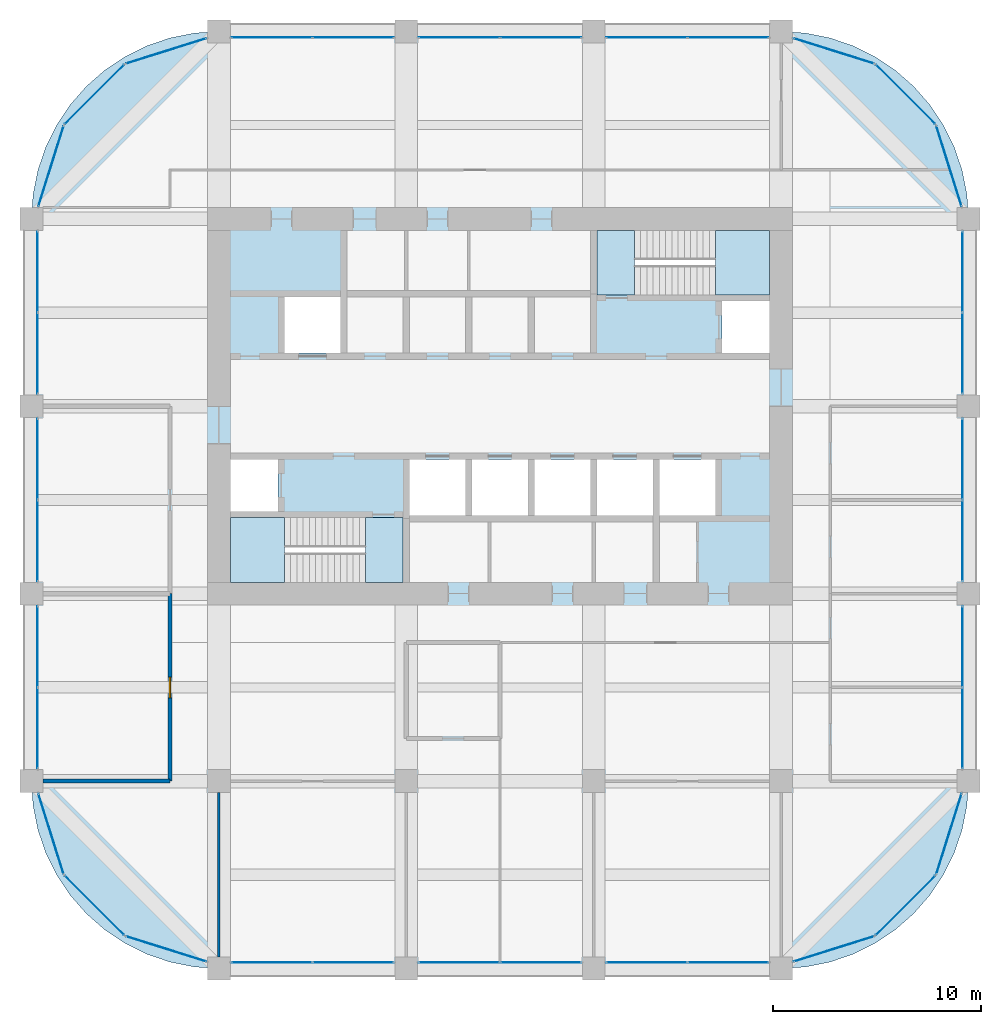
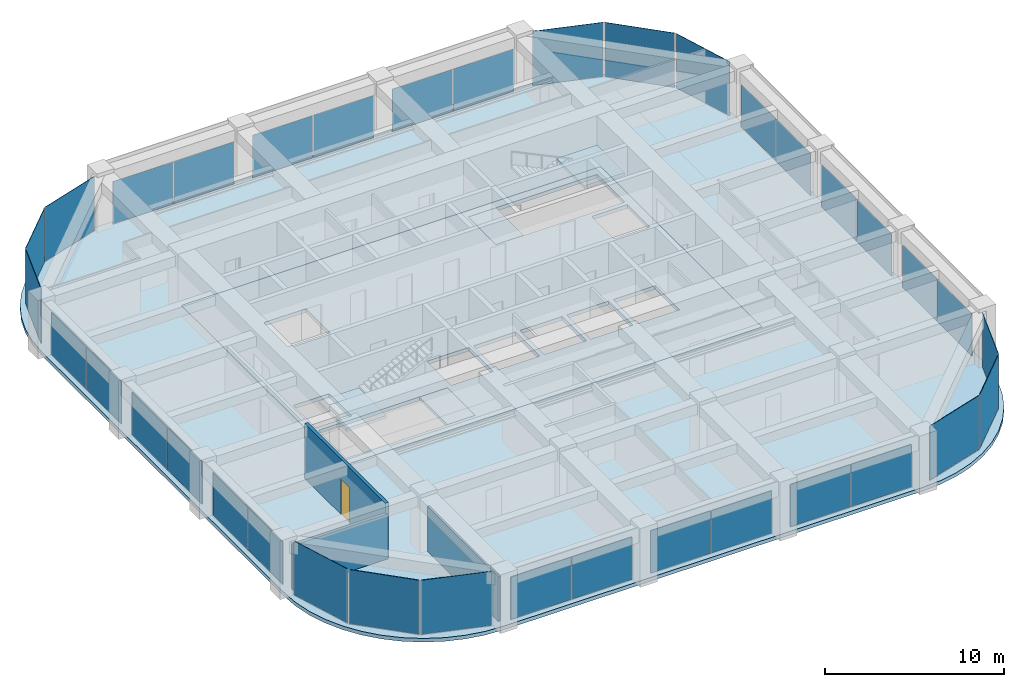
# One storey, part 40 of 44: 36 plates, 6 slabs, 3 walls, 1 door, 1 opening, 26 elements without a shape of their own.
"""IFC4 building model written with IfcOpenShell, lengths in metres."""

from ifc_helpers import new_model, si_unit, direction, frame, frame_2d, origin, origin_2d, place, context, subcontext, project, spatial, polyline, rectangle, outline, extrude, material, layer, layer_set, type_object, element, fill, aggregate, save


model = new_model("IFC4")

# Units and contexts
model_context = context("Model", 3, precision=1e-05, world=origin(), true_north=direction((0.0, 1.0)))
body_context = subcontext(model_context, "Body", "Model", "MODEL_VIEW")
ifc_project = project(units=[si_unit("LENGTHUNIT", "METRE"), si_unit("AREAUNIT", "SQUARE_METRE"), si_unit("VOLUMEUNIT", "CUBIC_METRE"), si_unit("PLANEANGLEUNIT", "RADIAN"), si_unit("MASSUNIT", "GRAM", prefix="KILO")], contexts=[model_context])

# Site, building, storey
site_placement = place(None, origin())
site = spatial("IfcSite", under=ifc_project, at=site_placement, CompositionType="ELEMENT")
building_placement = place(site_placement, origin())
building = spatial("IfcBuilding", under=site, at=building_placement, Name="Zorevar Civic Tower", CompositionType="ELEMENT")
storey_placement = place(building_placement, frame((0.0, 0.0, 267.39990234375)))
storey = spatial("IfcBuildingStorey", under=building, at=storey_placement, Name="L65", CompositionType="ELEMENT", Elevation=267.39990234375)

# Curtain wall, plates
ifc_material_1 = material(Name="Dark grey solar-control glass in black aluminium frame", Category="aluminium")
curtain_wall_type = type_object("IfcCurtainWallType", Name="Curtain wall CW5 top zone", PredefinedType="NOTDEFINED", material=ifc_material_1)
curtain_wall_1_placement = place(storey_placement, origin())
curtain_wall_1 = element("IfcCurtainWall", 1, at=curtain_wall_1_placement, inside=storey, type_object=curtain_wall_type, Name="CW5 L65", PredefinedType="NOTDEFINED")
ifc_material_2 = material(Name="Dark grey solar-control glass", Category="glass")
ifc_layer_1 = layer(ifc_material_2, 0.028076171875)
ifc_layer_set_1 = layer_set([ifc_layer_1], Name="CW5 panel 28")
plate_type = type_object("IfcPlateType", Name="CW5 panel 28", PredefinedType="CURTAIN_PANEL", material=ifc_layer_set_1)
plate_1_placement = place(storey_placement, frame((20.5400390625, 0.300048828125, 0.06005859375), z_axis=(0.0, 0.0, 1.0), x_axis=(1.0, 0.0, 0.0)))
plate_1 = element("IfcPlate", 2, at=plate_1_placement, type_object=plate_type, Name="CW5 panel 1.1", PredefinedType="CURTAIN_PANEL", context=body_context, shape_type="SweptSolid", body=[
    extrude(rectangle(XDim=3.860107421875, YDim=0.028076171875, at=origin_2d()), origin(), (0.0, 0.0, 1.0), 2.889892578125),
])
plate_2_placement = place(storey_placement, frame((24.4599609375, 0.300048828125, 0.06005859375), z_axis=(0.0, 0.0, 1.0), x_axis=(1.0, 0.0, 0.0)))
plate_2 = element("IfcPlate", 3, at=plate_2_placement, type_object=plate_type, Name="CW5 panel 2.1", PredefinedType="CURTAIN_PANEL", context=body_context, shape_type="SweptSolid", body=[
    extrude(rectangle(XDim=3.860107421875, YDim=0.028076171875, at=origin_2d()), origin(), (0.0, 0.0, 1.0), 2.889892578125),
])
aggregate(curtain_wall_1, [plate_1, plate_2])

curtain_wall_2_placement = place(storey_placement, origin())
curtain_wall_2 = element("IfcCurtainWall", 4, at=curtain_wall_2_placement, inside=storey, type_object=curtain_wall_type, Name="CW5 L65", PredefinedType="NOTDEFINED")
plate_3_placement = place(storey_placement, frame((20.5400390625, 44.699951171875, 0.06005859375), z_axis=(0.0, 0.0, 1.0), x_axis=(1.0, 0.0, 0.0)))
plate_3 = element("IfcPlate", 5, at=plate_3_placement, type_object=plate_type, Name="CW5 panel 1.1", PredefinedType="CURTAIN_PANEL", context=body_context, shape_type="SweptSolid", body=[
    extrude(rectangle(XDim=3.860107421875, YDim=0.028076171875, at=origin_2d()), origin(), (0.0, 0.0, 1.0), 2.889892578125),
])
plate_4_placement = place(storey_placement, frame((24.4599609375, 44.699951171875, 0.06005859375), z_axis=(0.0, 0.0, 1.0), x_axis=(1.0, 0.0, 0.0)))
plate_4 = element("IfcPlate", 6, at=plate_4_placement, type_object=plate_type, Name="CW5 panel 2.1", PredefinedType="CURTAIN_PANEL", context=body_context, shape_type="SweptSolid", body=[
    extrude(rectangle(XDim=3.860107421875, YDim=0.028076171875, at=origin_2d()), origin(), (0.0, 0.0, 1.0), 2.889892578125),
])
aggregate(curtain_wall_2, [plate_3, plate_4])

curtain_wall_3_placement = place(storey_placement, origin())
curtain_wall_3 = element("IfcCurtainWall", 7, at=curtain_wall_3_placement, inside=storey, type_object=curtain_wall_type, Name="CW5 L65", PredefinedType="NOTDEFINED")
plate_5_placement = place(storey_placement, frame((29.5400390625, 0.300048828125, 0.06005859375), z_axis=(0.0, 0.0, 1.0), x_axis=(1.0, 0.0, 0.0)))
plate_5 = element("IfcPlate", 8, at=plate_5_placement, type_object=plate_type, Name="CW5 panel 1.1", PredefinedType="CURTAIN_PANEL", context=body_context, shape_type="SweptSolid", body=[
    extrude(rectangle(XDim=3.860107421875, YDim=0.028076171875, at=origin_2d()), origin(), (0.0, 0.0, 1.0), 2.889892578125),
])
plate_6_placement = place(storey_placement, frame((33.4599609375, 0.300048828125, 0.06005859375), z_axis=(0.0, 0.0, 1.0), x_axis=(1.0, 0.0, 0.0)))
plate_6 = element("IfcPlate", 9, at=plate_6_placement, type_object=plate_type, Name="CW5 panel 2.1", PredefinedType="CURTAIN_PANEL", context=body_context, shape_type="SweptSolid", body=[
    extrude(rectangle(XDim=3.860107421875, YDim=0.028076171875, at=origin_2d()), origin(), (0.0, 0.0, 1.0), 2.889892578125),
])
aggregate(curtain_wall_3, [plate_5, plate_6])

curtain_wall_4_placement = place(storey_placement, origin())
curtain_wall_4 = element("IfcCurtainWall", 10, at=curtain_wall_4_placement, inside=storey, type_object=curtain_wall_type, Name="CW5 L65", PredefinedType="NOTDEFINED")
plate_7_placement = place(storey_placement, frame((29.5400390625, 44.699951171875, 0.06005859375), z_axis=(0.0, 0.0, 1.0), x_axis=(1.0, 0.0, 0.0)))
plate_7 = element("IfcPlate", 11, at=plate_7_placement, type_object=plate_type, Name="CW5 panel 1.1", PredefinedType="CURTAIN_PANEL", context=body_context, shape_type="SweptSolid", body=[
    extrude(rectangle(XDim=3.860107421875, YDim=0.028076171875, at=origin_2d()), origin(), (0.0, 0.0, 1.0), 2.889892578125),
])
plate_8_placement = place(storey_placement, frame((33.4599609375, 44.699951171875, 0.06005859375), z_axis=(0.0, 0.0, 1.0), x_axis=(1.0, 0.0, 0.0)))
plate_8 = element("IfcPlate", 12, at=plate_8_placement, type_object=plate_type, Name="CW5 panel 2.1", PredefinedType="CURTAIN_PANEL", context=body_context, shape_type="SweptSolid", body=[
    extrude(rectangle(XDim=3.860107421875, YDim=0.028076171875, at=origin_2d()), origin(), (0.0, 0.0, 1.0), 2.889892578125),
])
aggregate(curtain_wall_4, [plate_7, plate_8])

curtain_wall_5_placement = place(storey_placement, origin())
curtain_wall_5 = element("IfcCurtainWall", 13, at=curtain_wall_5_placement, inside=storey, type_object=curtain_wall_type, Name="CW5 L65", PredefinedType="NOTDEFINED")
plate_9_placement = place(storey_placement, frame((38.5400390625, 0.300048828125, 0.06005859375), z_axis=(0.0, 0.0, 1.0), x_axis=(1.0, 0.0, 0.0)))
plate_9 = element("IfcPlate", 14, at=plate_9_placement, type_object=plate_type, Name="CW5 panel 1.1", PredefinedType="CURTAIN_PANEL", context=body_context, shape_type="SweptSolid", body=[
    extrude(rectangle(XDim=3.860107421875, YDim=0.028076171875, at=origin_2d()), origin(), (0.0, 0.0, 1.0), 2.889892578125),
])
plate_10_placement = place(storey_placement, frame((42.4599609375, 0.300048828125, 0.06005859375), z_axis=(0.0, 0.0, 1.0), x_axis=(1.0, 0.0, 0.0)))
plate_10 = element("IfcPlate", 15, at=plate_10_placement, type_object=plate_type, Name="CW5 panel 2.1", PredefinedType="CURTAIN_PANEL", context=body_context, shape_type="SweptSolid", body=[
    extrude(rectangle(XDim=3.860107421875, YDim=0.028076171875, at=origin_2d()), origin(), (0.0, 0.0, 1.0), 2.889892578125),
])
aggregate(curtain_wall_5, [plate_9, plate_10])

curtain_wall_6_placement = place(storey_placement, origin())
curtain_wall_6 = element("IfcCurtainWall", 16, at=curtain_wall_6_placement, inside=storey, type_object=curtain_wall_type, Name="CW5 L65", PredefinedType="NOTDEFINED")
plate_11_placement = place(storey_placement, frame((38.5400390625, 44.699951171875, 0.06005859375), z_axis=(0.0, 0.0, 1.0), x_axis=(1.0, 0.0, 0.0)))
plate_11 = element("IfcPlate", 17, at=plate_11_placement, type_object=plate_type, Name="CW5 panel 1.1", PredefinedType="CURTAIN_PANEL", context=body_context, shape_type="SweptSolid", body=[
    extrude(rectangle(XDim=3.860107421875, YDim=0.028076171875, at=origin_2d()), origin(), (0.0, 0.0, 1.0), 2.889892578125),
])
plate_12_placement = place(storey_placement, frame((42.4599609375, 44.699951171875, 0.06005859375), z_axis=(0.0, 0.0, 1.0), x_axis=(1.0, 0.0, 0.0)))
plate_12 = element("IfcPlate", 18, at=plate_12_placement, type_object=plate_type, Name="CW5 panel 2.1", PredefinedType="CURTAIN_PANEL", context=body_context, shape_type="SweptSolid", body=[
    extrude(rectangle(XDim=3.860107421875, YDim=0.028076171875, at=origin_2d()), origin(), (0.0, 0.0, 1.0), 2.889892578125),
])
aggregate(curtain_wall_6, [plate_11, plate_12])

curtain_wall_7_placement = place(storey_placement, origin())
curtain_wall_7 = element("IfcCurtainWall", 19, at=curtain_wall_7_placement, inside=storey, type_object=curtain_wall_type, Name="CW5 L65", PredefinedType="NOTDEFINED")
plate_13_placement = place(storey_placement, frame((9.300048828125, 11.5400390625, 0.06005859375), z_axis=(0.0, 0.0, 1.0), x_axis=(0.0, 1.0, 0.0)))
plate_13 = element("IfcPlate", 20, at=plate_13_placement, type_object=plate_type, Name="CW5 panel 1.1", PredefinedType="CURTAIN_PANEL", context=body_context, shape_type="SweptSolid", body=[
    extrude(rectangle(XDim=3.860107421875, YDim=0.028076171875, at=origin_2d()), origin(), (0.0, 0.0, 1.0), 2.889892578125),
])
plate_14_placement = place(storey_placement, frame((9.300048828125, 15.4599609375, 0.06005859375), z_axis=(0.0, 0.0, 1.0), x_axis=(0.0, 1.0, 0.0)))
plate_14 = element("IfcPlate", 21, at=plate_14_placement, type_object=plate_type, Name="CW5 panel 2.1", PredefinedType="CURTAIN_PANEL", context=body_context, shape_type="SweptSolid", body=[
    extrude(rectangle(XDim=3.860107421875, YDim=0.028076171875, at=origin_2d()), origin(), (0.0, 0.0, 1.0), 2.889892578125),
])
aggregate(curtain_wall_7, [plate_13, plate_14])

curtain_wall_8_placement = place(storey_placement, origin())
curtain_wall_8 = element("IfcCurtainWall", 22, at=curtain_wall_8_placement, inside=storey, type_object=curtain_wall_type, Name="CW5 L65", PredefinedType="NOTDEFINED")
plate_15_placement = place(storey_placement, frame((53.699951171875, 11.5400390625, 0.06005859375), z_axis=(0.0, 0.0, 1.0), x_axis=(0.0, 1.0, 0.0)))
plate_15 = element("IfcPlate", 23, at=plate_15_placement, type_object=plate_type, Name="CW5 panel 1.1", PredefinedType="CURTAIN_PANEL", context=body_context, shape_type="SweptSolid", body=[
    extrude(rectangle(XDim=3.860107421875, YDim=0.028076171875, at=origin_2d()), origin(), (0.0, 0.0, 1.0), 2.889892578125),
])
plate_16_placement = place(storey_placement, frame((53.699951171875, 15.4599609375, 0.06005859375), z_axis=(0.0, 0.0, 1.0), x_axis=(0.0, 1.0, 0.0)))
plate_16 = element("IfcPlate", 24, at=plate_16_placement, type_object=plate_type, Name="CW5 panel 2.1", PredefinedType="CURTAIN_PANEL", context=body_context, shape_type="SweptSolid", body=[
    extrude(rectangle(XDim=3.860107421875, YDim=0.028076171875, at=origin_2d()), origin(), (0.0, 0.0, 1.0), 2.889892578125),
])
aggregate(curtain_wall_8, [plate_15, plate_16])

curtain_wall_9_placement = place(storey_placement, origin())
curtain_wall_9 = element("IfcCurtainWall", 25, at=curtain_wall_9_placement, inside=storey, type_object=curtain_wall_type, Name="CW5 L65", PredefinedType="NOTDEFINED")
plate_17_placement = place(storey_placement, frame((9.300048828125, 20.5400390625, 0.06005859375), z_axis=(0.0, 0.0, 1.0), x_axis=(0.0, 1.0, 0.0)))
plate_17 = element("IfcPlate", 26, at=plate_17_placement, type_object=plate_type, Name="CW5 panel 1.1", PredefinedType="CURTAIN_PANEL", context=body_context, shape_type="SweptSolid", body=[
    extrude(rectangle(XDim=3.860107421875, YDim=0.028076171875, at=origin_2d()), origin(), (0.0, 0.0, 1.0), 2.889892578125),
])
plate_18_placement = place(storey_placement, frame((9.300048828125, 24.4599609375, 0.06005859375), z_axis=(0.0, 0.0, 1.0), x_axis=(0.0, 1.0, 0.0)))
plate_18 = element("IfcPlate", 27, at=plate_18_placement, type_object=plate_type, Name="CW5 panel 2.1", PredefinedType="CURTAIN_PANEL", context=body_context, shape_type="SweptSolid", body=[
    extrude(rectangle(XDim=3.860107421875, YDim=0.028076171875, at=origin_2d()), origin(), (0.0, 0.0, 1.0), 2.889892578125),
])
aggregate(curtain_wall_9, [plate_17, plate_18])

curtain_wall_10_placement = place(storey_placement, origin())
curtain_wall_10 = element("IfcCurtainWall", 28, at=curtain_wall_10_placement, inside=storey, type_object=curtain_wall_type, Name="CW5 L65", PredefinedType="NOTDEFINED")
plate_19_placement = place(storey_placement, frame((53.699951171875, 20.5400390625, 0.06005859375), z_axis=(0.0, 0.0, 1.0), x_axis=(0.0, 1.0, 0.0)))
plate_19 = element("IfcPlate", 29, at=plate_19_placement, type_object=plate_type, Name="CW5 panel 1.1", PredefinedType="CURTAIN_PANEL", context=body_context, shape_type="SweptSolid", body=[
    extrude(rectangle(XDim=3.860107421875, YDim=0.028076171875, at=origin_2d()), origin(), (0.0, 0.0, 1.0), 2.889892578125),
])
plate_20_placement = place(storey_placement, frame((53.699951171875, 24.4599609375, 0.06005859375), z_axis=(0.0, 0.0, 1.0), x_axis=(0.0, 1.0, 0.0)))
plate_20 = element("IfcPlate", 30, at=plate_20_placement, type_object=plate_type, Name="CW5 panel 2.1", PredefinedType="CURTAIN_PANEL", context=body_context, shape_type="SweptSolid", body=[
    extrude(rectangle(XDim=3.860107421875, YDim=0.028076171875, at=origin_2d()), origin(), (0.0, 0.0, 1.0), 2.889892578125),
])
aggregate(curtain_wall_10, [plate_19, plate_20])

curtain_wall_11_placement = place(storey_placement, origin())
curtain_wall_11 = element("IfcCurtainWall", 31, at=curtain_wall_11_placement, inside=storey, type_object=curtain_wall_type, Name="CW5 L65", PredefinedType="NOTDEFINED")
plate_21_placement = place(storey_placement, frame((9.300048828125, 29.5400390625, 0.06005859375), z_axis=(0.0, 0.0, 1.0), x_axis=(0.0, 1.0, 0.0)))
plate_21 = element("IfcPlate", 32, at=plate_21_placement, type_object=plate_type, Name="CW5 panel 1.1", PredefinedType="CURTAIN_PANEL", context=body_context, shape_type="SweptSolid", body=[
    extrude(rectangle(XDim=3.860107421875, YDim=0.028076171875, at=origin_2d()), origin(), (0.0, 0.0, 1.0), 2.889892578125),
])
plate_22_placement = place(storey_placement, frame((9.300048828125, 33.4599609375, 0.06005859375), z_axis=(0.0, 0.0, 1.0), x_axis=(0.0, 1.0, 0.0)))
plate_22 = element("IfcPlate", 33, at=plate_22_placement, type_object=plate_type, Name="CW5 panel 2.1", PredefinedType="CURTAIN_PANEL", context=body_context, shape_type="SweptSolid", body=[
    extrude(rectangle(XDim=3.860107421875, YDim=0.028076171875, at=origin_2d()), origin(), (0.0, 0.0, 1.0), 2.889892578125),
])
aggregate(curtain_wall_11, [plate_21, plate_22])

curtain_wall_12_placement = place(storey_placement, origin())
curtain_wall_12 = element("IfcCurtainWall", 34, at=curtain_wall_12_placement, inside=storey, type_object=curtain_wall_type, Name="CW5 L65", PredefinedType="NOTDEFINED")
plate_23_placement = place(storey_placement, frame((53.699951171875, 29.5400390625, 0.06005859375), z_axis=(0.0, 0.0, 1.0), x_axis=(0.0, 1.0, 0.0)))
plate_23 = element("IfcPlate", 35, at=plate_23_placement, type_object=plate_type, Name="CW5 panel 1.1", PredefinedType="CURTAIN_PANEL", context=body_context, shape_type="SweptSolid", body=[
    extrude(rectangle(XDim=3.860107421875, YDim=0.028076171875, at=origin_2d()), origin(), (0.0, 0.0, 1.0), 2.889892578125),
])
plate_24_placement = place(storey_placement, frame((53.699951171875, 33.4599609375, 0.06005859375), z_axis=(0.0, 0.0, 1.0), x_axis=(0.0, 1.0, 0.0)))
plate_24 = element("IfcPlate", 36, at=plate_24_placement, type_object=plate_type, Name="CW5 panel 2.1", PredefinedType="CURTAIN_PANEL", context=body_context, shape_type="SweptSolid", body=[
    extrude(rectangle(XDim=3.860107421875, YDim=0.028076171875, at=origin_2d()), origin(), (0.0, 0.0, 1.0), 2.889892578125),
])
aggregate(curtain_wall_12, [plate_23, plate_24])

# Curtain wall, plate
curtain_wall_13_placement = place(storey_placement, origin())
curtain_wall_13 = element("IfcCurtainWall", 37, at=curtain_wall_13_placement, inside=storey, type_object=curtain_wall_type, Name="CW5 L65", PredefinedType="NOTDEFINED")
plate_25_placement = place(storey_placement, frame((47.52880859375, 0.938232421875, 0.06005859375), z_axis=(0.0, 0.0, 1.0), x_axis=(0.954153437674, 0.299317920238, 0.0)))
plate_25 = element("IfcPlate", 38, at=plate_25_placement, type_object=plate_type, Name="CW5 panel 1.1", PredefinedType="CURTAIN_PANEL", context=body_context, shape_type="SweptSolid", body=[
    extrude(rectangle(XDim=4.028076171875, YDim=0.028076171875, at=origin_2d()), origin(), (0.0, 0.0, 1.0), 3.68994140625),
])
aggregate(curtain_wall_13, [plate_25])

curtain_wall_14_placement = place(storey_placement, origin())
curtain_wall_14 = element("IfcCurtainWall", 39, at=curtain_wall_14_placement, inside=storey, type_object=curtain_wall_type, Name="CW5 L65", PredefinedType="NOTDEFINED")
plate_26_placement = place(storey_placement, frame((50.974365234375, 3.025634765625, 0.06005859375), z_axis=(0.0, 0.0, 1.0), x_axis=(0.707106781187, 0.707106781187, 0.0)))
plate_26 = element("IfcPlate", 40, at=plate_26_placement, type_object=plate_type, Name="CW5 panel 1.1", PredefinedType="CURTAIN_PANEL", context=body_context, shape_type="SweptSolid", body=[
    extrude(rectangle(XDim=4.028076171875, YDim=0.028076171875, at=origin_2d()), origin(), (0.0, 0.0, 1.0), 3.68994140625),
])
aggregate(curtain_wall_14, [plate_26])

curtain_wall_15_placement = place(storey_placement, origin())
curtain_wall_15 = element("IfcCurtainWall", 41, at=curtain_wall_15_placement, inside=storey, type_object=curtain_wall_type, Name="CW5 L65", PredefinedType="NOTDEFINED")
plate_27_placement = place(storey_placement, frame((53.061767578125, 6.47119140625, 0.06005859375), z_axis=(0.0, 0.0, 1.0), x_axis=(0.299317920238, 0.954153437674, 0.0)))
plate_27 = element("IfcPlate", 42, at=plate_27_placement, type_object=plate_type, Name="CW5 panel 1.1", PredefinedType="CURTAIN_PANEL", context=body_context, shape_type="SweptSolid", body=[
    extrude(rectangle(XDim=4.028076171875, YDim=0.028076171875, at=origin_2d()), origin(), (0.0, 0.0, 1.0), 3.68994140625),
])
aggregate(curtain_wall_15, [plate_27])

curtain_wall_16_placement = place(storey_placement, origin())
curtain_wall_16 = element("IfcCurtainWall", 43, at=curtain_wall_16_placement, inside=storey, type_object=curtain_wall_type, Name="CW5 L65", PredefinedType="NOTDEFINED")
plate_28_placement = place(storey_placement, frame((53.061767578125, 38.52880859375, 0.06005859375), z_axis=(0.0, 0.0, 1.0), x_axis=(-0.299317920238, 0.954153437674, 0.0)))
plate_28 = element("IfcPlate", 44, at=plate_28_placement, type_object=plate_type, Name="CW5 panel 1.1", PredefinedType="CURTAIN_PANEL", context=body_context, shape_type="SweptSolid", body=[
    extrude(rectangle(XDim=4.028076171875, YDim=0.028076171875, at=origin_2d()), origin(), (0.0, 0.0, 1.0), 3.68994140625),
])
aggregate(curtain_wall_16, [plate_28])

curtain_wall_17_placement = place(storey_placement, origin())
curtain_wall_17 = element("IfcCurtainWall", 45, at=curtain_wall_17_placement, inside=storey, type_object=curtain_wall_type, Name="CW5 L65", PredefinedType="NOTDEFINED")
plate_29_placement = place(storey_placement, frame((50.974365234375, 41.974365234375, 0.06005859375), z_axis=(0.0, 0.0, 1.0), x_axis=(-0.707106781187, 0.707106781187, 0.0)))
plate_29 = element("IfcPlate", 46, at=plate_29_placement, type_object=plate_type, Name="CW5 panel 1.1", PredefinedType="CURTAIN_PANEL", context=body_context, shape_type="SweptSolid", body=[
    extrude(rectangle(XDim=4.028076171875, YDim=0.028076171875, at=origin_2d()), origin(), (0.0, 0.0, 1.0), 3.68994140625),
])
aggregate(curtain_wall_17, [plate_29])

curtain_wall_18_placement = place(storey_placement, origin())
curtain_wall_18 = element("IfcCurtainWall", 47, at=curtain_wall_18_placement, inside=storey, type_object=curtain_wall_type, Name="CW5 L65", PredefinedType="NOTDEFINED")
plate_30_placement = place(storey_placement, frame((47.52880859375, 44.061767578125, 0.06005859375), z_axis=(0.0, 0.0, 1.0), x_axis=(-0.954153437674, 0.299317920238, 0.0)))
plate_30 = element("IfcPlate", 48, at=plate_30_placement, type_object=plate_type, Name="CW5 panel 1.1", PredefinedType="CURTAIN_PANEL", context=body_context, shape_type="SweptSolid", body=[
    extrude(rectangle(XDim=4.028076171875, YDim=0.028076171875, at=origin_2d()), origin(), (0.0, 0.0, 1.0), 3.68994140625),
])
aggregate(curtain_wall_18, [plate_30])

curtain_wall_19_placement = place(storey_placement, origin())
curtain_wall_19 = element("IfcCurtainWall", 49, at=curtain_wall_19_placement, inside=storey, type_object=curtain_wall_type, Name="CW5 L65", PredefinedType="NOTDEFINED")
plate_31_placement = place(storey_placement, frame((15.47119140625, 44.061767578125, 0.06005859375), z_axis=(0.0, 0.0, 1.0), x_axis=(-0.954153437674, -0.299317920238, 0.0)))
plate_31 = element("IfcPlate", 50, at=plate_31_placement, type_object=plate_type, Name="CW5 panel 1.1", PredefinedType="CURTAIN_PANEL", context=body_context, shape_type="SweptSolid", body=[
    extrude(rectangle(XDim=4.028076171875, YDim=0.028076171875, at=origin_2d()), origin(), (0.0, 0.0, 1.0), 3.68994140625),
])
aggregate(curtain_wall_19, [plate_31])

curtain_wall_20_placement = place(storey_placement, origin())
curtain_wall_20 = element("IfcCurtainWall", 51, at=curtain_wall_20_placement, inside=storey, type_object=curtain_wall_type, Name="CW5 L65", PredefinedType="NOTDEFINED")
plate_32_placement = place(storey_placement, frame((12.025634765625, 41.974365234375, 0.06005859375), z_axis=(0.0, 0.0, 1.0), x_axis=(-0.707106781187, -0.707106781187, 0.0)))
plate_32 = element("IfcPlate", 52, at=plate_32_placement, type_object=plate_type, Name="CW5 panel 1.1", PredefinedType="CURTAIN_PANEL", context=body_context, shape_type="SweptSolid", body=[
    extrude(rectangle(XDim=4.028076171875, YDim=0.028076171875, at=origin_2d()), origin(), (0.0, 0.0, 1.0), 3.68994140625),
])
aggregate(curtain_wall_20, [plate_32])

curtain_wall_21_placement = place(storey_placement, origin())
curtain_wall_21 = element("IfcCurtainWall", 53, at=curtain_wall_21_placement, inside=storey, type_object=curtain_wall_type, Name="CW5 L65", PredefinedType="NOTDEFINED")
plate_33_placement = place(storey_placement, frame((9.938232421875, 38.52880859375, 0.06005859375), z_axis=(0.0, 0.0, 1.0), x_axis=(-0.299317920238, -0.954153437674, 0.0)))
plate_33 = element("IfcPlate", 54, at=plate_33_placement, type_object=plate_type, Name="CW5 panel 1.1", PredefinedType="CURTAIN_PANEL", context=body_context, shape_type="SweptSolid", body=[
    extrude(rectangle(XDim=4.028076171875, YDim=0.028076171875, at=origin_2d()), origin(), (0.0, 0.0, 1.0), 3.68994140625),
])
aggregate(curtain_wall_21, [plate_33])

curtain_wall_22_placement = place(storey_placement, origin())
curtain_wall_22 = element("IfcCurtainWall", 55, at=curtain_wall_22_placement, inside=storey, type_object=curtain_wall_type, Name="CW5 L65", PredefinedType="NOTDEFINED")
plate_34_placement = place(storey_placement, frame((9.938232421875, 6.47119140625, 0.06005859375), z_axis=(0.0, 0.0, 1.0), x_axis=(0.299317920238, -0.954153437674, 0.0)))
plate_34 = element("IfcPlate", 56, at=plate_34_placement, type_object=plate_type, Name="CW5 panel 1.1", PredefinedType="CURTAIN_PANEL", context=body_context, shape_type="SweptSolid", body=[
    extrude(rectangle(XDim=4.028076171875, YDim=0.028076171875, at=origin_2d()), origin(), (0.0, 0.0, 1.0), 3.68994140625),
])
aggregate(curtain_wall_22, [plate_34])

curtain_wall_23_placement = place(storey_placement, origin())
curtain_wall_23 = element("IfcCurtainWall", 57, at=curtain_wall_23_placement, inside=storey, type_object=curtain_wall_type, Name="CW5 L65", PredefinedType="NOTDEFINED")
plate_35_placement = place(storey_placement, frame((12.025634765625, 3.025634765625, 0.06005859375), z_axis=(0.0, 0.0, 1.0), x_axis=(0.707106781187, -0.707106781187, 0.0)))
plate_35 = element("IfcPlate", 58, at=plate_35_placement, type_object=plate_type, Name="CW5 panel 1.1", PredefinedType="CURTAIN_PANEL", context=body_context, shape_type="SweptSolid", body=[
    extrude(rectangle(XDim=4.028076171875, YDim=0.028076171875, at=origin_2d()), origin(), (0.0, 0.0, 1.0), 3.68994140625),
])
aggregate(curtain_wall_23, [plate_35])

curtain_wall_24_placement = place(storey_placement, origin())
curtain_wall_24 = element("IfcCurtainWall", 59, at=curtain_wall_24_placement, inside=storey, type_object=curtain_wall_type, Name="CW5 L65", PredefinedType="NOTDEFINED")
plate_36_placement = place(storey_placement, frame((15.47119140625, 0.938232421875, 0.06005859375), z_axis=(0.0, 0.0, 1.0), x_axis=(0.954153437674, -0.299317920238, 0.0)))
plate_36 = element("IfcPlate", 60, at=plate_36_placement, type_object=plate_type, Name="CW5 panel 1.1", PredefinedType="CURTAIN_PANEL", context=body_context, shape_type="SweptSolid", body=[
    extrude(rectangle(XDim=4.028076171875, YDim=0.028076171875, at=origin_2d()), origin(), (0.0, 0.0, 1.0), 3.68994140625),
])
aggregate(curtain_wall_24, [plate_36])

# Slabs
ifc_material_3 = material(Name="Concrete C40/50", Category="concrete")
ifc_layer_2 = layer(ifc_material_3, 0.25)
ifc_layer_set_2 = layer_set([ifc_layer_2], Name="Floor slab 250")
slab_type_1 = type_object("IfcSlabType", Name="Floor slab 250", PredefinedType="FLOOR", material=ifc_layer_set_2)
slab_1_placement = place(storey_placement, frame((0.0, 0.0, -0.25)))
element("IfcSlab", 61, at=slab_1_placement, inside=storey, type_object=slab_type_1, Name="Floor slab L65", PredefinedType="FLOOR", context=body_context, shape_type="SweptSolid", body=[
    extrude(outline(polyline([(45.0, 0.0), (46.1748046875, 0.076904296875), (47.329345703125, 0.306640625), (48.444091796875, 0.68505859375), (49.5, 1.205810546875), (50.478759765625, 1.85986328125), (51.364013671875, 2.635986328125), (52.14013671875, 3.521240234375), (52.794189453125, 4.5), (53.31494140625, 5.555908203125), (53.693359375, 6.670654296875), (53.923095703125, 7.8251953125), (54.0, 9.0), (54.0, 36.0), (53.923095703125, 37.1748046875), (53.693359375, 38.329345703125), (53.31494140625, 39.444091796875), (52.794189453125, 40.5), (52.14013671875, 41.478759765625), (51.364013671875, 42.364013671875), (50.478759765625, 43.14013671875), (49.5, 43.794189453125), (48.444091796875, 44.31494140625), (47.329345703125, 44.693359375), (46.1748046875, 44.923095703125), (45.0, 45.0), (18.0, 45.0), (16.8251953125, 44.923095703125), (15.670654296875, 44.693359375), (14.555908203125, 44.31494140625), (13.5, 43.794189453125), (12.521240234375, 43.14013671875), (11.635986328125, 42.364013671875), (10.85986328125, 41.478759765625), (10.205810546875, 40.5), (9.68505859375, 39.444091796875), (9.306640625, 38.329345703125), (9.076904296875, 37.1748046875), (9.0, 36.0), (9.0, 9.0), (9.076904296875, 7.8251953125), (9.306640625, 6.670654296875), (9.68505859375, 5.555908203125), (10.205810546875, 4.5), (10.85986328125, 3.521240234375), (11.635986328125, 2.635986328125), (12.521240234375, 1.85986328125), (13.5, 1.205810546875), (14.555908203125, 0.68505859375), (15.670654296875, 0.306640625), (16.8251953125, 0.076904296875), (18.0, 0.0), (45.0, 0.0)]), holes=[polyline([(18.0, 18.0), (45.0, 18.0), (45.0, 36.0), (18.0, 36.0), (18.0, 18.0)])]), origin(), (0.0, 0.0, 1.0), 0.25),
])
slab_2_placement = place(storey_placement, frame((0.0, 0.0, -0.25)))
element("IfcSlab", 62, at=slab_2_placement, inside=storey, type_object=slab_type_1, Name="Core floor L65", PredefinedType="FLOOR", context=body_context, shape_type="SweptSolid", body=[
    extrude(outline(polyline([(18.0, 18.0), (45.0, 18.0), (45.0, 36.0), (18.0, 36.0), (18.0, 18.0)]), holes=[polyline([(18.550048828125, 18.550048828125), (26.85009765625, 18.550048828125), (26.85009765625, 21.64990234375), (18.550048828125, 21.64990234375), (18.550048828125, 18.550048828125)]), polyline([(36.14990234375, 32.35009765625), (44.449951171875, 32.35009765625), (44.449951171875, 35.449951171875), (36.14990234375, 35.449951171875), (36.14990234375, 32.35009765625)]), polyline([(18.550048828125, 21.949951171875), (20.85009765625, 21.949951171875), (20.85009765625, 24.449951171875), (18.550048828125, 24.449951171875), (18.550048828125, 21.949951171875)]), polyline([(42.14990234375, 29.550048828125), (44.449951171875, 29.550048828125), (44.449951171875, 32.050048828125), (42.14990234375, 32.050048828125), (42.14990234375, 29.550048828125)]), polyline([(27.14990234375, 21.75), (29.85009765625, 21.75), (29.85009765625, 24.449951171875), (27.14990234375, 24.449951171875), (27.14990234375, 21.75)]), polyline([(30.14990234375, 21.75), (32.85009765625, 21.75), (32.85009765625, 24.449951171875), (30.14990234375, 24.449951171875), (30.14990234375, 21.75)]), polyline([(33.14990234375, 21.75), (35.85009765625, 21.75), (35.85009765625, 24.449951171875), (33.14990234375, 24.449951171875), (33.14990234375, 21.75)]), polyline([(36.14990234375, 21.75), (38.85009765625, 21.75), (38.85009765625, 24.449951171875), (36.14990234375, 24.449951171875), (36.14990234375, 21.75)]), polyline([(39.14990234375, 21.75), (41.85009765625, 21.75), (41.85009765625, 24.449951171875), (39.14990234375, 24.449951171875), (39.14990234375, 21.75)]), polyline([(21.14990234375, 29.550048828125), (23.85009765625, 29.550048828125), (23.85009765625, 32.25), (21.14990234375, 32.25), (21.14990234375, 29.550048828125)])]), origin(), (0.0, 0.0, 1.0), 0.25),
])

# Stair, slabs
ifc_material_4 = material(Name="Precast concrete C40/50", Category="concrete")
stair_type = type_object("IfcStairType", Name="Stair ST 28R", PredefinedType="HALF_TURN_STAIR", material=ifc_material_4)
stair_1_placement = place(storey_placement, origin())
stair_1 = element("IfcStair", 63, at=stair_1_placement, inside=storey, type_object=stair_type, Name="Stair ST1 L65", PredefinedType="HALF_TURN_STAIR")
ifc_material_5 = material(Name="Concrete C40/50", Category="concrete")
ifc_layer_3 = layer(ifc_material_5, 0.199951171875)
ifc_layer_set_3 = layer_set([ifc_layer_3], Name="Stair landing 200")
slab_type_2 = type_object("IfcSlabType", Name="Stair landing 200", PredefinedType="LANDING", material=ifc_layer_set_3)
slab_3_placement = place(storey_placement, frame((0.0, 0.0, -0.199951171875)))
slab_3 = element("IfcSlab", 64, at=slab_3_placement, type_object=slab_type_2, Name="ST1 landing 1", PredefinedType="LANDING", context=body_context, shape_type="SweptSolid", body=[
    extrude(outline(polyline([(25.050048828125, 18.550048828125), (26.85009765625, 18.550048828125), (26.85009765625, 21.64990234375), (25.050048828125, 21.64990234375), (25.050048828125, 18.550048828125)])), origin(), (0.0, 0.0, 1.0), 0.199951171875),
])
slab_4_placement = place(storey_placement, frame((0.0, 0.0, 1.800048828125)))
slab_4 = element("IfcSlab", 65, at=slab_4_placement, type_object=slab_type_2, Name="ST1 landing 2", PredefinedType="LANDING", context=body_context, shape_type="SweptSolid", body=[
    extrude(outline(polyline([(18.550048828125, 18.550048828125), (21.14990234375, 18.550048828125), (21.14990234375, 21.64990234375), (18.550048828125, 21.64990234375), (18.550048828125, 18.550048828125)])), origin(), (0.0, 0.0, 1.0), 0.199951171875),
])
aggregate(stair_1, [slab_3, slab_4])

stair_2_placement = place(storey_placement, origin())
stair_2 = element("IfcStair", 66, at=stair_2_placement, inside=storey, type_object=stair_type, Name="Stair ST2 L65", PredefinedType="HALF_TURN_STAIR")
slab_5_placement = place(storey_placement, frame((0.0, 0.0, -0.199951171875)))
slab_5 = element("IfcSlab", 67, at=slab_5_placement, type_object=slab_type_2, Name="ST2 landing 1", PredefinedType="LANDING", context=body_context, shape_type="SweptSolid", body=[
    extrude(outline(polyline([(37.949951171875, 32.35009765625), (36.14990234375, 32.35009765625), (36.14990234375, 35.449951171875), (37.949951171875, 35.449951171875), (37.949951171875, 32.35009765625)])), origin(), (0.0, 0.0, 1.0), 0.199951171875),
])
slab_6_placement = place(storey_placement, frame((0.0, 0.0, 1.800048828125)))
slab_6 = element("IfcSlab", 68, at=slab_6_placement, type_object=slab_type_2, Name="ST2 landing 2", PredefinedType="LANDING", context=body_context, shape_type="SweptSolid", body=[
    extrude(outline(polyline([(44.449951171875, 32.35009765625), (41.85009765625, 32.35009765625), (41.85009765625, 35.449951171875), (44.449951171875, 35.449951171875), (44.449951171875, 32.35009765625)])), origin(), (0.0, 0.0, 1.0), 0.199951171875),
])
aggregate(stair_2, [slab_5, slab_6])

# Wall
ifc_material_6 = material(Name="Concrete blockwork", Category="masonry")
ifc_layer_4 = layer(ifc_material_6, 0.199951171875)
ifc_layer_set_4 = layer_set([ifc_layer_4], Name="Blockwork wall 200")
wall_type_1 = type_object("IfcWallType", Name="Blockwork wall 200", PredefinedType="SOLIDWALL", material=ifc_layer_set_4)
wall_1_placement = place(storey_placement, frame((9.550048828125, 9.0, 0.0), z_axis=(0.0, 0.0, 1.0), x_axis=(1.0, 0.0, 0.0)))
element("IfcWall", 69, at=wall_1_placement, inside=storey, type_object=wall_type_1, Name="Blockwork wall 200 L65", PredefinedType="SOLIDWALL", context=body_context, shape_type="SweptSolid", body=[
    extrude(rectangle(XDim=6.099853515625, YDim=0.199951171875, at=frame_2d((3.0498046875, 0.0))), origin(), (0.0, 0.0, 1.0), 3.050048828125),
])

# Wall, opening, door
wall_2_placement = place(storey_placement, frame((15.64990234375, 9.0, 0.0), z_axis=(0.0, 0.0, 1.0), x_axis=(0.0, 1.0, 0.0)))
wall_2 = element("IfcWall", 70, at=wall_2_placement, inside=storey, type_object=wall_type_1, Name="Blockwork wall 200 L65", PredefinedType="SOLIDWALL", context=body_context, shape_type="SweptSolid", body=[
    extrude(rectangle(XDim=9.0, YDim=0.199951171875, at=frame_2d((4.5, 0.0))), origin(), (0.0, 0.0, 1.0), 3.75),
])
opening_placement = place(wall_2_placement, frame((4.0, 0.0, 0.0)))
opening = element("IfcOpeningElement", 71, at=opening_placement, cuts=wall_2, Name="Opening L65.22", PredefinedType="OPENING", context=body_context, shape_type="SweptSolid", body=[
    extrude(rectangle(XDim=1.0, YDim=2.39990234375, at=frame_2d((0.5, 1.199951171875))), frame((0.0, 0.10986328125, 0.0), z_axis=(0.0, -1.0, 0.0), x_axis=(1.0, 0.0, 0.0)), (0.0, 0.0, 1.0), 0.219970703125),
])
ifc_material_7 = material(Name="Steel door set", Category="steel")
door_type = type_object("IfcDoorType", Name="Security door SD1 1000x2400", OperationType="SINGLE_SWING_LEFT", PredefinedType="DOOR", material=ifc_material_7)
door_placement = place(opening_placement, origin())
door = element("IfcDoor", 72, at=door_placement, inside=storey, type_object=door_type, Name="Door L65 D1", OperationType="SINGLE_SWING_RIGHT", OverallHeight=2.39990234375, OverallWidth=1.0, PredefinedType="DOOR", context=body_context, shape_type="SweptSolid", body=[
    extrude(rectangle(XDim=1.0, YDim=2.39990234375, at=frame_2d((0.5, 1.199951171875))), frame((0.0, 0.03515625, 0.0), z_axis=(0.0, -1.0, 0.0), x_axis=(1.0, 0.0, 0.0)), (0.0, 0.0, 1.0), 0.070068359375),
])
fill(opening, door)

# Wall
ifc_material_8 = material(Name="Gypsum board on steel studs", Category="steel")
ifc_layer_5 = layer(ifc_material_8, 0.1201171875)
ifc_layer_set_5 = layer_set([ifc_layer_5], Name="Partition 120")
wall_type_2 = type_object("IfcWallType", Name="Partition 120", PredefinedType="PARTITIONING", material=ifc_layer_set_5)
wall_3_placement = place(storey_placement, frame((18.0, 0.550048828125, 0.0), z_axis=(0.0, 0.0, 1.0), x_axis=(0.0, 1.0, 0.0)))
element("IfcWall", 73, at=wall_3_placement, inside=storey, type_object=wall_type_2, Name="Partition 120 L65", PredefinedType="PARTITIONING", context=body_context, shape_type="SweptSolid", body=[
    extrude(rectangle(XDim=7.89990234375, YDim=0.1201171875, at=frame_2d((3.949951171875, 0.0))), origin(), (0.0, 0.0, 1.0), 3.050048828125),
])

save(model, "model.ifc")
